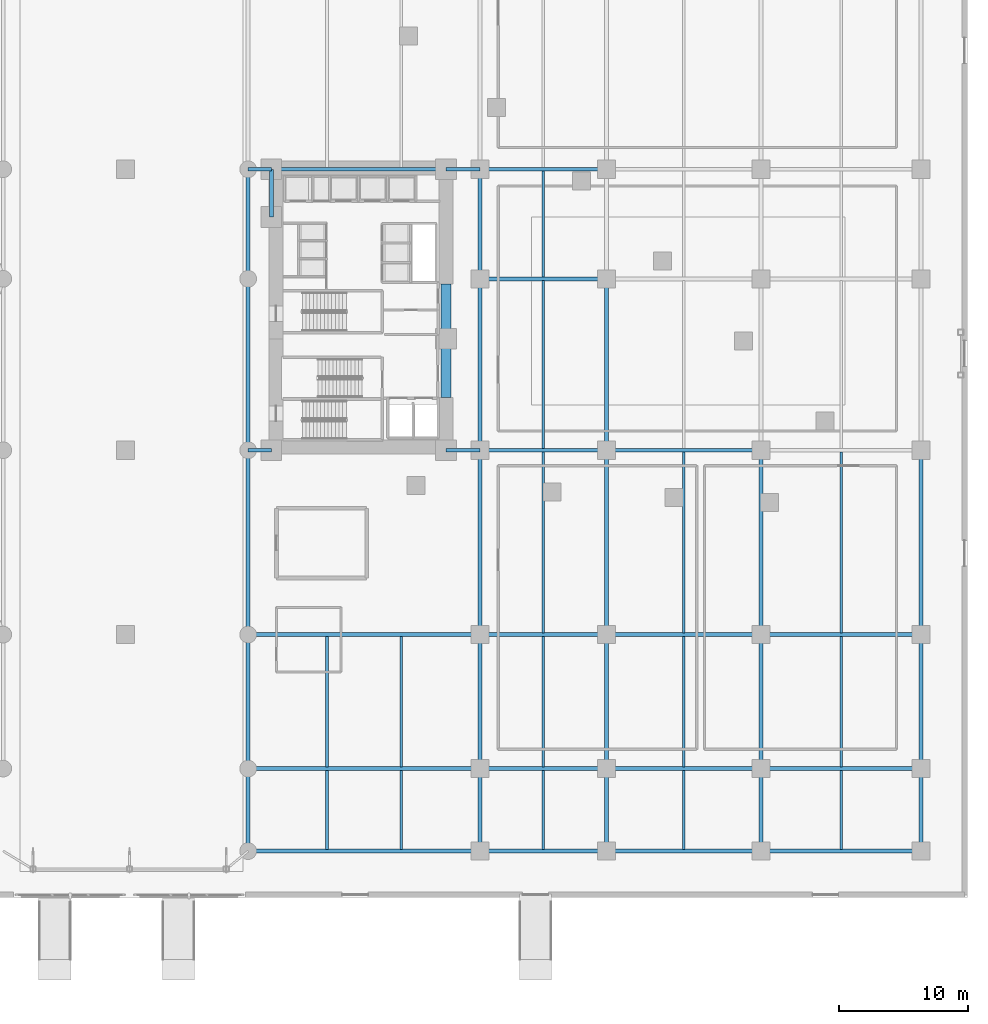
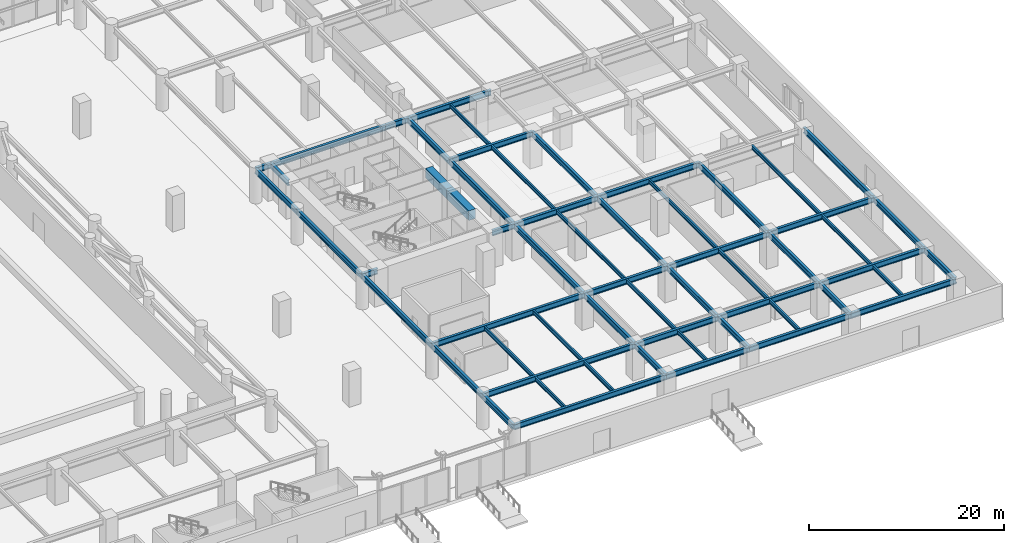
# One storey, part 15 of 42: 59 beams.
"""IFC4 building model written with IfcOpenShell, lengths in metres."""

from ifc_helpers import new_model, si_unit, direction, frame, origin, origin_2d, place, context, subcontext, project, spatial, rectangle, i_section, extrude, material, material_profile, profile_set, type_object, element, save


model = new_model("IFC4")

# Units and contexts
model_context = context("Model", 3, precision=1e-05, world=origin(), true_north=direction((0.0, 1.0)))
body_context = subcontext(model_context, "Body", "Model", "MODEL_VIEW")
ifc_project = project(units=[si_unit("LENGTHUNIT", "METRE"), si_unit("AREAUNIT", "SQUARE_METRE"), si_unit("VOLUMEUNIT", "CUBIC_METRE"), si_unit("PLANEANGLEUNIT", "RADIAN"), si_unit("MASSUNIT", "GRAM", prefix="KILO")], contexts=[model_context])

# Site, building, storey
site_placement = place(None, origin())
site = spatial("IfcSite", under=ifc_project, at=site_placement, CompositionType="ELEMENT")
building_placement = place(site_placement, origin())
building = spatial("IfcBuilding", under=site, at=building_placement, Name="Narakoshi Arena Tower", CompositionType="ELEMENT")
storey_placement = place(building_placement, origin())
storey = spatial("IfcBuildingStorey", under=building, at=storey_placement, Name="L00", CompositionType="ELEMENT", Elevation=0.0)

# Beams
ifc_material_1 = material(Name="Concrete C60/75", Category="concrete")
ifc_material_profile_1 = material_profile(ifc_material_1, rectangle(XDim=0.800048828125, YDim=1.199951171875, at=origin_2d()), Name="RCB800x1200")
ifc_profile_set_1 = profile_set([ifc_material_profile_1], Name="Concrete C60/75")
beam_type_1 = type_object("IfcBeamType", Name="BM-CPL-1200", PredefinedType="LINTEL", material=ifc_profile_set_1)
beam_1_placement = place(storey_placement, frame((85.550048828125, 38.800048828125, 3.580078125), z_axis=(0.0, 1.0, 0.0), x_axis=(-1.0, 0.0, 0.0)))
element("IfcBeam", 1, at=beam_1_placement, inside=storey, type_object=beam_type_1, Name="L00 Core Seismic Coupling Beam 1", PredefinedType="LINTEL", context=body_context, shape_type="SweptSolid", body=[
    extrude(rectangle(XDim=0.800048828125, YDim=1.199951171875, at=origin_2d()), origin(), (0.0, 0.0, 1.0), 4.550048828125),
])
beam_2_placement = place(storey_placement, frame((85.550048828125, 43.35009765625, 3.580078125), z_axis=(0.0, 1.0, 0.0), x_axis=(-1.0, 0.0, 0.0)))
element("IfcBeam", 2, at=beam_2_placement, inside=storey, type_object=beam_type_1, Name="L00 Core Seismic Coupling Beam 2", PredefinedType="LINTEL", context=body_context, shape_type="SweptSolid", body=[
    extrude(rectangle(XDim=0.800048828125, YDim=1.199951171875, at=origin_2d()), origin(), (0.0, 0.0, 1.0), 4.25),
])
ifc_material_2 = material(Name="Structural steel S355J2", Category="steel")
ifc_material_profile_2 = material_profile(ifc_material_2, i_section(OverallWidth=0.300048828125, OverallDepth=0.699951171875, WebThickness=0.01708984375, FlangeThickness=0.031982421875, FilletRadius=0.027099609375, at=origin_2d()), Name="HE700B")
ifc_profile_set_2 = profile_set([ifc_material_profile_2], Name="Structural steel S355J2")
beam_type_2 = type_object("IfcBeamType", Name="BM-PRI-700", PredefinedType="BEAM", material=ifc_profile_set_2)
beam_3_placement = place(storey_placement, frame((70.199951171875, 3.60009765625, 3.830078125), z_axis=(1.0, 0.0, 0.0), x_axis=(0.0, 1.0, 0.0)))
element("IfcBeam", 3, at=beam_3_placement, inside=storey, type_object=beam_type_2, Name="L00 Podium Primary X-Girder 001", PredefinedType="BEAM", context=body_context, shape_type="SweptSolid", body=[
    extrude(i_section(OverallWidth=0.300048828125, OverallDepth=0.699951171875, WebThickness=0.01708984375, FlangeThickness=0.031982421875, FilletRadius=0.027099609375, at=origin_2d()), origin(), (0.0, 0.0, 1.0), 18.0),
])
beam_4_placement = place(storey_placement, frame((88.199951171875, 3.60009765625, 3.830078125), z_axis=(1.0, 0.0, 0.0), x_axis=(0.0, 1.0, 0.0)))
element("IfcBeam", 4, at=beam_4_placement, inside=storey, type_object=beam_type_2, Name="L00 Podium Primary X-Girder 002", PredefinedType="BEAM", context=body_context, shape_type="SweptSolid", body=[
    extrude(i_section(OverallWidth=0.300048828125, OverallDepth=0.699951171875, WebThickness=0.01708984375, FlangeThickness=0.031982421875, FilletRadius=0.027099609375, at=origin_2d()), origin(), (0.0, 0.0, 1.0), 9.800048828125),
])
beam_5_placement = place(storey_placement, frame((98.0, 3.60009765625, 3.830078125), z_axis=(1.0, 0.0, 0.0), x_axis=(0.0, 1.0, 0.0)))
element("IfcBeam", 5, at=beam_5_placement, inside=storey, type_object=beam_type_2, Name="L00 Podium Primary X-Girder 003", PredefinedType="BEAM", context=body_context, shape_type="SweptSolid", body=[
    extrude(i_section(OverallWidth=0.300048828125, OverallDepth=0.699951171875, WebThickness=0.01708984375, FlangeThickness=0.031982421875, FilletRadius=0.027099609375, at=origin_2d()), origin(), (0.0, 0.0, 1.0), 12.0),
])
beam_6_placement = place(storey_placement, frame((110.0, 3.60009765625, 3.830078125), z_axis=(1.0, 0.0, 0.0), x_axis=(0.0, 1.0, 0.0)))
element("IfcBeam", 6, at=beam_6_placement, inside=storey, type_object=beam_type_2, Name="L00 Podium Primary X-Girder 004", PredefinedType="BEAM", context=body_context, shape_type="SweptSolid", body=[
    extrude(i_section(OverallWidth=0.300048828125, OverallDepth=0.699951171875, WebThickness=0.01708984375, FlangeThickness=0.031982421875, FilletRadius=0.027099609375, at=origin_2d()), origin(), (0.0, 0.0, 1.0), 12.39990234375),
])
beam_7_placement = place(storey_placement, frame((70.199951171875, 10.0, 3.830078125), z_axis=(1.0, 0.0, 0.0), x_axis=(0.0, 1.0, 0.0)))
element("IfcBeam", 7, at=beam_7_placement, inside=storey, type_object=beam_type_2, Name="L00 Podium Primary X-Girder 009", PredefinedType="BEAM", context=body_context, shape_type="SweptSolid", body=[
    extrude(i_section(OverallWidth=0.300048828125, OverallDepth=0.699951171875, WebThickness=0.01708984375, FlangeThickness=0.031982421875, FilletRadius=0.027099609375, at=origin_2d()), origin(), (0.0, 0.0, 1.0), 18.0),
])
beam_8_placement = place(storey_placement, frame((88.199951171875, 10.0, 3.830078125), z_axis=(1.0, 0.0, 0.0), x_axis=(0.0, 1.0, 0.0)))
element("IfcBeam", 8, at=beam_8_placement, inside=storey, type_object=beam_type_2, Name="L00 Podium Primary X-Girder 010", PredefinedType="BEAM", context=body_context, shape_type="SweptSolid", body=[
    extrude(i_section(OverallWidth=0.300048828125, OverallDepth=0.699951171875, WebThickness=0.01708984375, FlangeThickness=0.031982421875, FilletRadius=0.027099609375, at=origin_2d()), origin(), (0.0, 0.0, 1.0), 9.800048828125),
])
beam_9_placement = place(storey_placement, frame((98.0, 10.0, 3.830078125), z_axis=(1.0, 0.0, 0.0), x_axis=(0.0, 1.0, 0.0)))
element("IfcBeam", 9, at=beam_9_placement, inside=storey, type_object=beam_type_2, Name="L00 Podium Primary X-Girder 011", PredefinedType="BEAM", context=body_context, shape_type="SweptSolid", body=[
    extrude(i_section(OverallWidth=0.300048828125, OverallDepth=0.699951171875, WebThickness=0.01708984375, FlangeThickness=0.031982421875, FilletRadius=0.027099609375, at=origin_2d()), origin(), (0.0, 0.0, 1.0), 12.0),
])
beam_10_placement = place(storey_placement, frame((110.0, 10.0, 3.830078125), z_axis=(1.0, 0.0, 0.0), x_axis=(0.0, 1.0, 0.0)))
element("IfcBeam", 10, at=beam_10_placement, inside=storey, type_object=beam_type_2, Name="L00 Podium Primary X-Girder 012", PredefinedType="BEAM", context=body_context, shape_type="SweptSolid", body=[
    extrude(i_section(OverallWidth=0.300048828125, OverallDepth=0.699951171875, WebThickness=0.01708984375, FlangeThickness=0.031982421875, FilletRadius=0.027099609375, at=origin_2d()), origin(), (0.0, 0.0, 1.0), 12.39990234375),
])
beam_11_placement = place(storey_placement, frame((70.199951171875, 20.39990234375, 3.830078125), z_axis=(1.0, 0.0, 0.0), x_axis=(0.0, 1.0, 0.0)))
element("IfcBeam", 11, at=beam_11_placement, inside=storey, type_object=beam_type_2, Name="L00 Podium Primary X-Girder 017", PredefinedType="BEAM", context=body_context, shape_type="SweptSolid", body=[
    extrude(i_section(OverallWidth=0.300048828125, OverallDepth=0.699951171875, WebThickness=0.01708984375, FlangeThickness=0.031982421875, FilletRadius=0.027099609375, at=origin_2d()), origin(), (0.0, 0.0, 1.0), 18.0),
])
beam_12_placement = place(storey_placement, frame((88.199951171875, 20.39990234375, 3.830078125), z_axis=(1.0, 0.0, 0.0), x_axis=(0.0, 1.0, 0.0)))
element("IfcBeam", 12, at=beam_12_placement, inside=storey, type_object=beam_type_2, Name="L00 Podium Primary X-Girder 018", PredefinedType="BEAM", context=body_context, shape_type="SweptSolid", body=[
    extrude(i_section(OverallWidth=0.300048828125, OverallDepth=0.699951171875, WebThickness=0.01708984375, FlangeThickness=0.031982421875, FilletRadius=0.027099609375, at=origin_2d()), origin(), (0.0, 0.0, 1.0), 9.800048828125),
])
beam_13_placement = place(storey_placement, frame((98.0, 20.39990234375, 3.830078125), z_axis=(1.0, 0.0, 0.0), x_axis=(0.0, 1.0, 0.0)))
element("IfcBeam", 13, at=beam_13_placement, inside=storey, type_object=beam_type_2, Name="L00 Podium Primary X-Girder 019", PredefinedType="BEAM", context=body_context, shape_type="SweptSolid", body=[
    extrude(i_section(OverallWidth=0.300048828125, OverallDepth=0.699951171875, WebThickness=0.01708984375, FlangeThickness=0.031982421875, FilletRadius=0.027099609375, at=origin_2d()), origin(), (0.0, 0.0, 1.0), 12.0),
])
beam_14_placement = place(storey_placement, frame((110.0, 20.39990234375, 3.830078125), z_axis=(1.0, 0.0, 0.0), x_axis=(0.0, 1.0, 0.0)))
element("IfcBeam", 14, at=beam_14_placement, inside=storey, type_object=beam_type_2, Name="L00 Podium Primary X-Girder 020", PredefinedType="BEAM", context=body_context, shape_type="SweptSolid", body=[
    extrude(i_section(OverallWidth=0.300048828125, OverallDepth=0.699951171875, WebThickness=0.01708984375, FlangeThickness=0.031982421875, FilletRadius=0.027099609375, at=origin_2d()), origin(), (0.0, 0.0, 1.0), 12.39990234375),
])
beam_15_placement = place(storey_placement, frame((70.199951171875, 34.699951171875, 3.830078125), z_axis=(1.0, 0.0, 0.0), x_axis=(0.0, 1.0, 0.0)))
element("IfcBeam", 15, at=beam_15_placement, inside=storey, type_object=beam_type_2, Name="L00 Podium Primary X-Girder 021", PredefinedType="BEAM", context=body_context, shape_type="SweptSolid", body=[
    extrude(i_section(OverallWidth=0.300048828125, OverallDepth=0.699951171875, WebThickness=0.01708984375, FlangeThickness=0.031982421875, FilletRadius=0.027099609375, at=origin_2d()), origin(), (0.0, 0.0, 1.0), 1.800048828125),
])
beam_16_placement = place(storey_placement, frame((85.550048828125, 34.699951171875, 3.830078125), z_axis=(1.0, 0.0, 0.0), x_axis=(0.0, 1.0, 0.0)))
element("IfcBeam", 16, at=beam_16_placement, inside=storey, type_object=beam_type_2, Name="L00 Podium Primary X-Girder 022", PredefinedType="BEAM", context=body_context, shape_type="SweptSolid", body=[
    extrude(i_section(OverallWidth=0.300048828125, OverallDepth=0.699951171875, WebThickness=0.01708984375, FlangeThickness=0.031982421875, FilletRadius=0.027099609375, at=origin_2d()), origin(), (0.0, 0.0, 1.0), 2.64990234375),
])
beam_17_placement = place(storey_placement, frame((88.199951171875, 34.699951171875, 3.830078125), z_axis=(1.0, 0.0, 0.0), x_axis=(0.0, 1.0, 0.0)))
element("IfcBeam", 17, at=beam_17_placement, inside=storey, type_object=beam_type_2, Name="L00 Podium Primary X-Girder 023", PredefinedType="BEAM", context=body_context, shape_type="SweptSolid", body=[
    extrude(i_section(OverallWidth=0.300048828125, OverallDepth=0.699951171875, WebThickness=0.01708984375, FlangeThickness=0.031982421875, FilletRadius=0.027099609375, at=origin_2d()), origin(), (0.0, 0.0, 1.0), 9.800048828125),
])
beam_18_placement = place(storey_placement, frame((98.0, 34.699951171875, 3.830078125), z_axis=(1.0, 0.0, 0.0), x_axis=(0.0, 1.0, 0.0)))
element("IfcBeam", 18, at=beam_18_placement, inside=storey, type_object=beam_type_2, Name="L00 Podium Primary X-Girder 024", PredefinedType="BEAM", context=body_context, shape_type="SweptSolid", body=[
    extrude(i_section(OverallWidth=0.300048828125, OverallDepth=0.699951171875, WebThickness=0.01708984375, FlangeThickness=0.031982421875, FilletRadius=0.027099609375, at=origin_2d()), origin(), (0.0, 0.0, 1.0), 12.0),
])
beam_19_placement = place(storey_placement, frame((88.199951171875, 48.0, 3.830078125), z_axis=(1.0, 0.0, 0.0), x_axis=(0.0, 1.0, 0.0)))
element("IfcBeam", 19, at=beam_19_placement, inside=storey, type_object=beam_type_2, Name="L00 Podium Primary X-Girder 026", PredefinedType="BEAM", context=body_context, shape_type="SweptSolid", body=[
    extrude(i_section(OverallWidth=0.300048828125, OverallDepth=0.699951171875, WebThickness=0.01708984375, FlangeThickness=0.031982421875, FilletRadius=0.027099609375, at=origin_2d()), origin(), (0.0, 0.0, 1.0), 9.800048828125),
])
beam_20_placement = place(storey_placement, frame((70.199951171875, 56.5, 3.830078125), z_axis=(1.0, 0.0, 0.0), x_axis=(0.0, 1.0, 0.0)))
element("IfcBeam", 20, at=beam_20_placement, inside=storey, type_object=beam_type_2, Name="L00 Podium Primary X-Girder 029", PredefinedType="BEAM", context=body_context, shape_type="SweptSolid", body=[
    extrude(i_section(OverallWidth=0.300048828125, OverallDepth=0.699951171875, WebThickness=0.01708984375, FlangeThickness=0.031982421875, FilletRadius=0.027099609375, at=origin_2d()), origin(), (0.0, 0.0, 1.0), 1.800048828125),
])
beam_21_placement = place(storey_placement, frame((72.0, 56.5, 3.830078125), z_axis=(1.0, 0.0, 0.0), x_axis=(0.0, 1.0, 0.0)))
element("IfcBeam", 21, at=beam_21_placement, inside=storey, type_object=beam_type_2, Name="L00 Podium Primary X-Girder 030", PredefinedType="BEAM", context=body_context, shape_type="SweptSolid", body=[
    extrude(i_section(OverallWidth=0.300048828125, OverallDepth=0.699951171875, WebThickness=0.01708984375, FlangeThickness=0.031982421875, FilletRadius=0.027099609375, at=origin_2d()), origin(), (0.0, 0.0, 1.0), 13.550048828125),
])
beam_22_placement = place(storey_placement, frame((85.550048828125, 56.5, 3.830078125), z_axis=(1.0, 0.0, 0.0), x_axis=(0.0, 1.0, 0.0)))
element("IfcBeam", 22, at=beam_22_placement, inside=storey, type_object=beam_type_2, Name="L00 Podium Primary X-Girder 031", PredefinedType="BEAM", context=body_context, shape_type="SweptSolid", body=[
    extrude(i_section(OverallWidth=0.300048828125, OverallDepth=0.699951171875, WebThickness=0.01708984375, FlangeThickness=0.031982421875, FilletRadius=0.027099609375, at=origin_2d()), origin(), (0.0, 0.0, 1.0), 2.64990234375),
])
beam_23_placement = place(storey_placement, frame((88.199951171875, 56.5, 3.830078125), z_axis=(1.0, 0.0, 0.0), x_axis=(0.0, 1.0, 0.0)))
element("IfcBeam", 23, at=beam_23_placement, inside=storey, type_object=beam_type_2, Name="L00 Podium Primary X-Girder 032", PredefinedType="BEAM", context=body_context, shape_type="SweptSolid", body=[
    extrude(i_section(OverallWidth=0.300048828125, OverallDepth=0.699951171875, WebThickness=0.01708984375, FlangeThickness=0.031982421875, FilletRadius=0.027099609375, at=origin_2d()), origin(), (0.0, 0.0, 1.0), 9.800048828125),
])
beam_24_placement = place(storey_placement, frame((70.199951171875, 3.60009765625, 3.830078125), z_axis=(0.0, 1.0, 0.0), x_axis=(-1.0, 0.0, 0.0)))
element("IfcBeam", 24, at=beam_24_placement, inside=storey, type_object=beam_type_2, Name="L00 Podium Primary Y-Girder 075", PredefinedType="BEAM", context=body_context, shape_type="SweptSolid", body=[
    extrude(i_section(OverallWidth=0.300048828125, OverallDepth=0.699951171875, WebThickness=0.01708984375, FlangeThickness=0.031982421875, FilletRadius=0.027099609375, at=origin_2d()), origin(), (0.0, 0.0, 1.0), 6.39990234375),
])
beam_25_placement = place(storey_placement, frame((70.199951171875, 10.0, 3.830078125), z_axis=(0.0, 1.0, 0.0), x_axis=(-1.0, 0.0, 0.0)))
element("IfcBeam", 25, at=beam_25_placement, inside=storey, type_object=beam_type_2, Name="L00 Podium Primary Y-Girder 076", PredefinedType="BEAM", context=body_context, shape_type="SweptSolid", body=[
    extrude(i_section(OverallWidth=0.300048828125, OverallDepth=0.699951171875, WebThickness=0.01708984375, FlangeThickness=0.031982421875, FilletRadius=0.027099609375, at=origin_2d()), origin(), (0.0, 0.0, 1.0), 10.39990234375),
])
beam_26_placement = place(storey_placement, frame((70.199951171875, 20.39990234375, 3.830078125), z_axis=(0.0, 1.0, 0.0), x_axis=(-1.0, 0.0, 0.0)))
element("IfcBeam", 26, at=beam_26_placement, inside=storey, type_object=beam_type_2, Name="L00 Podium Primary Y-Girder 077", PredefinedType="BEAM", context=body_context, shape_type="SweptSolid", body=[
    extrude(i_section(OverallWidth=0.300048828125, OverallDepth=0.699951171875, WebThickness=0.01708984375, FlangeThickness=0.031982421875, FilletRadius=0.027099609375, at=origin_2d()), origin(), (0.0, 0.0, 1.0), 14.300048828125),
])
beam_27_placement = place(storey_placement, frame((70.199951171875, 34.699951171875, 3.830078125), z_axis=(0.0, 1.0, 0.0), x_axis=(-1.0, 0.0, 0.0)))
element("IfcBeam", 27, at=beam_27_placement, inside=storey, type_object=beam_type_2, Name="L00 Podium Primary Y-Girder 078", PredefinedType="BEAM", context=body_context, shape_type="SweptSolid", body=[
    extrude(i_section(OverallWidth=0.300048828125, OverallDepth=0.699951171875, WebThickness=0.01708984375, FlangeThickness=0.031982421875, FilletRadius=0.027099609375, at=origin_2d()), origin(), (0.0, 0.0, 1.0), 13.300048828125),
])
beam_28_placement = place(storey_placement, frame((70.199951171875, 48.0, 3.830078125), z_axis=(0.0, 1.0, 0.0), x_axis=(-1.0, 0.0, 0.0)))
element("IfcBeam", 28, at=beam_28_placement, inside=storey, type_object=beam_type_2, Name="L00 Podium Primary Y-Girder 079", PredefinedType="BEAM", context=body_context, shape_type="SweptSolid", body=[
    extrude(i_section(OverallWidth=0.300048828125, OverallDepth=0.699951171875, WebThickness=0.01708984375, FlangeThickness=0.031982421875, FilletRadius=0.027099609375, at=origin_2d()), origin(), (0.0, 0.0, 1.0), 8.5),
])
beam_29_placement = place(storey_placement, frame((72.0, 52.800048828125, 3.830078125), z_axis=(0.0, 1.0, 0.0), x_axis=(-1.0, 0.0, 0.0)))
element("IfcBeam", 29, at=beam_29_placement, inside=storey, type_object=beam_type_2, Name="L00 Podium Primary Y-Girder 083", PredefinedType="BEAM", context=body_context, shape_type="SweptSolid", body=[
    extrude(i_section(OverallWidth=0.300048828125, OverallDepth=0.699951171875, WebThickness=0.01708984375, FlangeThickness=0.031982421875, FilletRadius=0.027099609375, at=origin_2d()), origin(), (0.0, 0.0, 1.0), 3.699951171875),
])
beam_30_placement = place(storey_placement, frame((88.199951171875, 3.60009765625, 3.830078125), z_axis=(0.0, 1.0, 0.0), x_axis=(-1.0, 0.0, 0.0)))
element("IfcBeam", 30, at=beam_30_placement, inside=storey, type_object=beam_type_2, Name="L00 Podium Primary Y-Girder 084", PredefinedType="BEAM", context=body_context, shape_type="SweptSolid", body=[
    extrude(i_section(OverallWidth=0.300048828125, OverallDepth=0.699951171875, WebThickness=0.01708984375, FlangeThickness=0.031982421875, FilletRadius=0.027099609375, at=origin_2d()), origin(), (0.0, 0.0, 1.0), 6.39990234375),
])
beam_31_placement = place(storey_placement, frame((88.199951171875, 10.0, 3.830078125), z_axis=(0.0, 1.0, 0.0), x_axis=(-1.0, 0.0, 0.0)))
element("IfcBeam", 31, at=beam_31_placement, inside=storey, type_object=beam_type_2, Name="L00 Podium Primary Y-Girder 085", PredefinedType="BEAM", context=body_context, shape_type="SweptSolid", body=[
    extrude(i_section(OverallWidth=0.300048828125, OverallDepth=0.699951171875, WebThickness=0.01708984375, FlangeThickness=0.031982421875, FilletRadius=0.027099609375, at=origin_2d()), origin(), (0.0, 0.0, 1.0), 10.39990234375),
])
beam_32_placement = place(storey_placement, frame((88.199951171875, 20.39990234375, 3.830078125), z_axis=(0.0, 1.0, 0.0), x_axis=(-1.0, 0.0, 0.0)))
element("IfcBeam", 32, at=beam_32_placement, inside=storey, type_object=beam_type_2, Name="L00 Podium Primary Y-Girder 086", PredefinedType="BEAM", context=body_context, shape_type="SweptSolid", body=[
    extrude(i_section(OverallWidth=0.300048828125, OverallDepth=0.699951171875, WebThickness=0.01708984375, FlangeThickness=0.031982421875, FilletRadius=0.027099609375, at=origin_2d()), origin(), (0.0, 0.0, 1.0), 14.300048828125),
])
beam_33_placement = place(storey_placement, frame((88.199951171875, 34.699951171875, 3.830078125), z_axis=(0.0, 1.0, 0.0), x_axis=(-1.0, 0.0, 0.0)))
element("IfcBeam", 33, at=beam_33_placement, inside=storey, type_object=beam_type_2, Name="L00 Podium Primary Y-Girder 087", PredefinedType="BEAM", context=body_context, shape_type="SweptSolid", body=[
    extrude(i_section(OverallWidth=0.300048828125, OverallDepth=0.699951171875, WebThickness=0.01708984375, FlangeThickness=0.031982421875, FilletRadius=0.027099609375, at=origin_2d()), origin(), (0.0, 0.0, 1.0), 13.300048828125),
])
beam_34_placement = place(storey_placement, frame((88.199951171875, 48.0, 3.830078125), z_axis=(0.0, 1.0, 0.0), x_axis=(-1.0, 0.0, 0.0)))
element("IfcBeam", 34, at=beam_34_placement, inside=storey, type_object=beam_type_2, Name="L00 Podium Primary Y-Girder 088", PredefinedType="BEAM", context=body_context, shape_type="SweptSolid", body=[
    extrude(i_section(OverallWidth=0.300048828125, OverallDepth=0.699951171875, WebThickness=0.01708984375, FlangeThickness=0.031982421875, FilletRadius=0.027099609375, at=origin_2d()), origin(), (0.0, 0.0, 1.0), 8.5),
])
beam_35_placement = place(storey_placement, frame((98.0, 3.60009765625, 3.830078125), z_axis=(0.0, 1.0, 0.0), x_axis=(-1.0, 0.0, 0.0)))
element("IfcBeam", 35, at=beam_35_placement, inside=storey, type_object=beam_type_2, Name="L00 Podium Primary Y-Girder 092", PredefinedType="BEAM", context=body_context, shape_type="SweptSolid", body=[
    extrude(i_section(OverallWidth=0.300048828125, OverallDepth=0.699951171875, WebThickness=0.01708984375, FlangeThickness=0.031982421875, FilletRadius=0.027099609375, at=origin_2d()), origin(), (0.0, 0.0, 1.0), 6.39990234375),
])
beam_36_placement = place(storey_placement, frame((98.0, 10.0, 3.830078125), z_axis=(0.0, 1.0, 0.0), x_axis=(-1.0, 0.0, 0.0)))
element("IfcBeam", 36, at=beam_36_placement, inside=storey, type_object=beam_type_2, Name="L00 Podium Primary Y-Girder 093", PredefinedType="BEAM", context=body_context, shape_type="SweptSolid", body=[
    extrude(i_section(OverallWidth=0.300048828125, OverallDepth=0.699951171875, WebThickness=0.01708984375, FlangeThickness=0.031982421875, FilletRadius=0.027099609375, at=origin_2d()), origin(), (0.0, 0.0, 1.0), 10.39990234375),
])
beam_37_placement = place(storey_placement, frame((98.0, 20.39990234375, 3.830078125), z_axis=(0.0, 1.0, 0.0), x_axis=(-1.0, 0.0, 0.0)))
element("IfcBeam", 37, at=beam_37_placement, inside=storey, type_object=beam_type_2, Name="L00 Podium Primary Y-Girder 094", PredefinedType="BEAM", context=body_context, shape_type="SweptSolid", body=[
    extrude(i_section(OverallWidth=0.300048828125, OverallDepth=0.699951171875, WebThickness=0.01708984375, FlangeThickness=0.031982421875, FilletRadius=0.027099609375, at=origin_2d()), origin(), (0.0, 0.0, 1.0), 14.300048828125),
])
beam_38_placement = place(storey_placement, frame((98.0, 34.699951171875, 3.830078125), z_axis=(0.0, 1.0, 0.0), x_axis=(-1.0, 0.0, 0.0)))
element("IfcBeam", 38, at=beam_38_placement, inside=storey, type_object=beam_type_2, Name="L00 Podium Primary Y-Girder 095", PredefinedType="BEAM", context=body_context, shape_type="SweptSolid", body=[
    extrude(i_section(OverallWidth=0.300048828125, OverallDepth=0.699951171875, WebThickness=0.01708984375, FlangeThickness=0.031982421875, FilletRadius=0.027099609375, at=origin_2d()), origin(), (0.0, 0.0, 1.0), 13.300048828125),
])
beam_39_placement = place(storey_placement, frame((110.0, 3.60009765625, 3.830078125), z_axis=(0.0, 1.0, 0.0), x_axis=(-1.0, 0.0, 0.0)))
element("IfcBeam", 39, at=beam_39_placement, inside=storey, type_object=beam_type_2, Name="L00 Podium Primary Y-Girder 100", PredefinedType="BEAM", context=body_context, shape_type="SweptSolid", body=[
    extrude(i_section(OverallWidth=0.300048828125, OverallDepth=0.699951171875, WebThickness=0.01708984375, FlangeThickness=0.031982421875, FilletRadius=0.027099609375, at=origin_2d()), origin(), (0.0, 0.0, 1.0), 6.39990234375),
])
beam_40_placement = place(storey_placement, frame((110.0, 10.0, 3.830078125), z_axis=(0.0, 1.0, 0.0), x_axis=(-1.0, 0.0, 0.0)))
element("IfcBeam", 40, at=beam_40_placement, inside=storey, type_object=beam_type_2, Name="L00 Podium Primary Y-Girder 101", PredefinedType="BEAM", context=body_context, shape_type="SweptSolid", body=[
    extrude(i_section(OverallWidth=0.300048828125, OverallDepth=0.699951171875, WebThickness=0.01708984375, FlangeThickness=0.031982421875, FilletRadius=0.027099609375, at=origin_2d()), origin(), (0.0, 0.0, 1.0), 10.39990234375),
])
beam_41_placement = place(storey_placement, frame((110.0, 20.39990234375, 3.830078125), z_axis=(0.0, 1.0, 0.0), x_axis=(-1.0, 0.0, 0.0)))
element("IfcBeam", 41, at=beam_41_placement, inside=storey, type_object=beam_type_2, Name="L00 Podium Primary Y-Girder 102", PredefinedType="BEAM", context=body_context, shape_type="SweptSolid", body=[
    extrude(i_section(OverallWidth=0.300048828125, OverallDepth=0.699951171875, WebThickness=0.01708984375, FlangeThickness=0.031982421875, FilletRadius=0.027099609375, at=origin_2d()), origin(), (0.0, 0.0, 1.0), 14.300048828125),
])
beam_42_placement = place(storey_placement, frame((122.39990234375, 3.60009765625, 3.830078125), z_axis=(0.0, 1.0, 0.0), x_axis=(-1.0, 0.0, 0.0)))
element("IfcBeam", 42, at=beam_42_placement, inside=storey, type_object=beam_type_2, Name="L00 Podium Primary Y-Girder 108", PredefinedType="BEAM", context=body_context, shape_type="SweptSolid", body=[
    extrude(i_section(OverallWidth=0.300048828125, OverallDepth=0.699951171875, WebThickness=0.01708984375, FlangeThickness=0.031982421875, FilletRadius=0.027099609375, at=origin_2d()), origin(), (0.0, 0.0, 1.0), 6.39990234375),
])
beam_43_placement = place(storey_placement, frame((122.39990234375, 10.0, 3.830078125), z_axis=(0.0, 1.0, 0.0), x_axis=(-1.0, 0.0, 0.0)))
element("IfcBeam", 43, at=beam_43_placement, inside=storey, type_object=beam_type_2, Name="L00 Podium Primary Y-Girder 109", PredefinedType="BEAM", context=body_context, shape_type="SweptSolid", body=[
    extrude(i_section(OverallWidth=0.300048828125, OverallDepth=0.699951171875, WebThickness=0.01708984375, FlangeThickness=0.031982421875, FilletRadius=0.027099609375, at=origin_2d()), origin(), (0.0, 0.0, 1.0), 10.39990234375),
])
beam_44_placement = place(storey_placement, frame((122.39990234375, 20.39990234375, 3.830078125), z_axis=(0.0, 1.0, 0.0), x_axis=(-1.0, 0.0, 0.0)))
element("IfcBeam", 44, at=beam_44_placement, inside=storey, type_object=beam_type_2, Name="L00 Podium Primary Y-Girder 110", PredefinedType="BEAM", context=body_context, shape_type="SweptSolid", body=[
    extrude(i_section(OverallWidth=0.300048828125, OverallDepth=0.699951171875, WebThickness=0.01708984375, FlangeThickness=0.031982421875, FilletRadius=0.027099609375, at=origin_2d()), origin(), (0.0, 0.0, 1.0), 14.300048828125),
])
ifc_material_profile_3 = material_profile(ifc_material_2, i_section(OverallWidth=0.199951171875, OverallDepth=0.5, WebThickness=0.01025390625, FlangeThickness=0.01611328125, FilletRadius=0.02099609375, at=origin_2d()), Name="IPE500")
ifc_profile_set_3 = profile_set([ifc_material_profile_3], Name="Structural steel S355J2")
beam_type_3 = type_object("IfcBeamType", Name="BM-SEC-500", PredefinedType="JOIST", material=ifc_profile_set_3)
beam_45_placement = place(storey_placement, frame((76.320068359375, 3.735107421875, 3.929931640625), z_axis=(0.0, 1.0, 0.0), x_axis=(-1.0, 0.0, 0.0)))
element("IfcBeam", 45, at=beam_45_placement, inside=storey, type_object=beam_type_3, Name="L00 Podium Composite Floor Joist 009", PredefinedType="JOIST", context=body_context, shape_type="SweptSolid", body=[
    extrude(i_section(OverallWidth=0.199951171875, OverallDepth=0.5, WebThickness=0.01025390625, FlangeThickness=0.01611328125, FilletRadius=0.02099609375, at=origin_2d()), origin(), (0.0, 0.0, 1.0), 6.1298828125),
])
beam_46_placement = place(storey_placement, frame((76.320068359375, 10.135009765625, 3.929931640625), z_axis=(0.0, 1.0, 0.0), x_axis=(-1.0, 0.0, 0.0)))
element("IfcBeam", 46, at=beam_46_placement, inside=storey, type_object=beam_type_3, Name="L00 Podium Composite Floor Joist 010", PredefinedType="JOIST", context=body_context, shape_type="SweptSolid", body=[
    extrude(i_section(OverallWidth=0.199951171875, OverallDepth=0.5, WebThickness=0.01025390625, FlangeThickness=0.01611328125, FilletRadius=0.02099609375, at=origin_2d()), origin(), (0.0, 0.0, 1.0), 10.1298828125),
])
beam_47_placement = place(storey_placement, frame((82.080078125, 3.735107421875, 3.929931640625), z_axis=(0.0, 1.0, 0.0), x_axis=(-1.0, 0.0, 0.0)))
element("IfcBeam", 47, at=beam_47_placement, inside=storey, type_object=beam_type_3, Name="L00 Podium Composite Floor Joist 014", PredefinedType="JOIST", context=body_context, shape_type="SweptSolid", body=[
    extrude(i_section(OverallWidth=0.199951171875, OverallDepth=0.5, WebThickness=0.01025390625, FlangeThickness=0.01611328125, FilletRadius=0.02099609375, at=origin_2d()), origin(), (0.0, 0.0, 1.0), 6.1298828125),
])
beam_48_placement = place(storey_placement, frame((82.080078125, 10.135009765625, 3.929931640625), z_axis=(0.0, 1.0, 0.0), x_axis=(-1.0, 0.0, 0.0)))
element("IfcBeam", 48, at=beam_48_placement, inside=storey, type_object=beam_type_3, Name="L00 Podium Composite Floor Joist 015", PredefinedType="JOIST", context=body_context, shape_type="SweptSolid", body=[
    extrude(i_section(OverallWidth=0.199951171875, OverallDepth=0.5, WebThickness=0.01025390625, FlangeThickness=0.01611328125, FilletRadius=0.02099609375, at=origin_2d()), origin(), (0.0, 0.0, 1.0), 10.1298828125),
])
beam_49_placement = place(storey_placement, frame((93.10009765625, 3.735107421875, 3.929931640625), z_axis=(0.0, 1.0, 0.0), x_axis=(-1.0, 0.0, 0.0)))
element("IfcBeam", 49, at=beam_49_placement, inside=storey, type_object=beam_type_3, Name="L00 Podium Composite Floor Joist 019", PredefinedType="JOIST", context=body_context, shape_type="SweptSolid", body=[
    extrude(i_section(OverallWidth=0.199951171875, OverallDepth=0.5, WebThickness=0.01025390625, FlangeThickness=0.01611328125, FilletRadius=0.02099609375, at=origin_2d()), origin(), (0.0, 0.0, 1.0), 6.1298828125),
])
beam_50_placement = place(storey_placement, frame((93.10009765625, 10.135009765625, 3.929931640625), z_axis=(0.0, 1.0, 0.0), x_axis=(-1.0, 0.0, 0.0)))
element("IfcBeam", 50, at=beam_50_placement, inside=storey, type_object=beam_type_3, Name="L00 Podium Composite Floor Joist 020", PredefinedType="JOIST", context=body_context, shape_type="SweptSolid", body=[
    extrude(i_section(OverallWidth=0.199951171875, OverallDepth=0.5, WebThickness=0.01025390625, FlangeThickness=0.01611328125, FilletRadius=0.02099609375, at=origin_2d()), origin(), (0.0, 0.0, 1.0), 10.1298828125),
])
beam_51_placement = place(storey_placement, frame((93.10009765625, 20.534912109375, 3.929931640625), z_axis=(0.0, 1.0, 0.0), x_axis=(-1.0, 0.0, 0.0)))
element("IfcBeam", 51, at=beam_51_placement, inside=storey, type_object=beam_type_3, Name="L00 Podium Composite Floor Joist 021", PredefinedType="JOIST", context=body_context, shape_type="SweptSolid", body=[
    extrude(i_section(OverallWidth=0.199951171875, OverallDepth=0.5, WebThickness=0.01025390625, FlangeThickness=0.01611328125, FilletRadius=0.02099609375, at=origin_2d()), origin(), (0.0, 0.0, 1.0), 14.030029296875),
])
beam_52_placement = place(storey_placement, frame((93.10009765625, 34.8349609375, 3.929931640625), z_axis=(0.0, 1.0, 0.0), x_axis=(-1.0, 0.0, 0.0)))
element("IfcBeam", 52, at=beam_52_placement, inside=storey, type_object=beam_type_3, Name="L00 Podium Composite Floor Joist 022", PredefinedType="JOIST", context=body_context, shape_type="SweptSolid", body=[
    extrude(i_section(OverallWidth=0.199951171875, OverallDepth=0.5, WebThickness=0.01025390625, FlangeThickness=0.01611328125, FilletRadius=0.02099609375, at=origin_2d()), origin(), (0.0, 0.0, 1.0), 13.030029296875),
])
beam_53_placement = place(storey_placement, frame((93.10009765625, 48.135009765625, 3.929931640625), z_axis=(0.0, 1.0, 0.0), x_axis=(-1.0, 0.0, 0.0)))
element("IfcBeam", 53, at=beam_53_placement, inside=storey, type_object=beam_type_3, Name="L00 Podium Composite Floor Joist 023", PredefinedType="JOIST", context=body_context, shape_type="SweptSolid", body=[
    extrude(i_section(OverallWidth=0.199951171875, OverallDepth=0.5, WebThickness=0.01025390625, FlangeThickness=0.01611328125, FilletRadius=0.02099609375, at=origin_2d()), origin(), (0.0, 0.0, 1.0), 8.22998046875),
])
beam_54_placement = place(storey_placement, frame((104.0, 3.735107421875, 3.929931640625), z_axis=(0.0, 1.0, 0.0), x_axis=(-1.0, 0.0, 0.0)))
element("IfcBeam", 54, at=beam_54_placement, inside=storey, type_object=beam_type_3, Name="L00 Podium Composite Floor Joist 027", PredefinedType="JOIST", context=body_context, shape_type="SweptSolid", body=[
    extrude(i_section(OverallWidth=0.199951171875, OverallDepth=0.5, WebThickness=0.01025390625, FlangeThickness=0.01611328125, FilletRadius=0.02099609375, at=origin_2d()), origin(), (0.0, 0.0, 1.0), 6.1298828125),
])
beam_55_placement = place(storey_placement, frame((104.0, 10.135009765625, 3.929931640625), z_axis=(0.0, 1.0, 0.0), x_axis=(-1.0, 0.0, 0.0)))
element("IfcBeam", 55, at=beam_55_placement, inside=storey, type_object=beam_type_3, Name="L00 Podium Composite Floor Joist 028", PredefinedType="JOIST", context=body_context, shape_type="SweptSolid", body=[
    extrude(i_section(OverallWidth=0.199951171875, OverallDepth=0.5, WebThickness=0.01025390625, FlangeThickness=0.01611328125, FilletRadius=0.02099609375, at=origin_2d()), origin(), (0.0, 0.0, 1.0), 10.1298828125),
])
beam_56_placement = place(storey_placement, frame((104.0, 20.534912109375, 3.929931640625), z_axis=(0.0, 1.0, 0.0), x_axis=(-1.0, 0.0, 0.0)))
element("IfcBeam", 56, at=beam_56_placement, inside=storey, type_object=beam_type_3, Name="L00 Podium Composite Floor Joist 029", PredefinedType="JOIST", context=body_context, shape_type="SweptSolid", body=[
    extrude(i_section(OverallWidth=0.199951171875, OverallDepth=0.5, WebThickness=0.01025390625, FlangeThickness=0.01611328125, FilletRadius=0.02099609375, at=origin_2d()), origin(), (0.0, 0.0, 1.0), 14.030029296875),
])
beam_57_placement = place(storey_placement, frame((116.199951171875, 3.735107421875, 3.929931640625), z_axis=(0.0, 1.0, 0.0), x_axis=(-1.0, 0.0, 0.0)))
element("IfcBeam", 57, at=beam_57_placement, inside=storey, type_object=beam_type_3, Name="L00 Podium Composite Floor Joist 035", PredefinedType="JOIST", context=body_context, shape_type="SweptSolid", body=[
    extrude(i_section(OverallWidth=0.199951171875, OverallDepth=0.5, WebThickness=0.01025390625, FlangeThickness=0.01611328125, FilletRadius=0.02099609375, at=origin_2d()), origin(), (0.0, 0.0, 1.0), 6.1298828125),
])
beam_58_placement = place(storey_placement, frame((116.199951171875, 10.135009765625, 3.929931640625), z_axis=(0.0, 1.0, 0.0), x_axis=(-1.0, 0.0, 0.0)))
element("IfcBeam", 58, at=beam_58_placement, inside=storey, type_object=beam_type_3, Name="L00 Podium Composite Floor Joist 036", PredefinedType="JOIST", context=body_context, shape_type="SweptSolid", body=[
    extrude(i_section(OverallWidth=0.199951171875, OverallDepth=0.5, WebThickness=0.01025390625, FlangeThickness=0.01611328125, FilletRadius=0.02099609375, at=origin_2d()), origin(), (0.0, 0.0, 1.0), 10.1298828125),
])
beam_59_placement = place(storey_placement, frame((116.199951171875, 20.534912109375, 3.929931640625), z_axis=(0.0, 1.0, 0.0), x_axis=(-1.0, 0.0, 0.0)))
element("IfcBeam", 59, at=beam_59_placement, inside=storey, type_object=beam_type_3, Name="L00 Podium Composite Floor Joist 037", PredefinedType="JOIST", context=body_context, shape_type="SweptSolid", body=[
    extrude(i_section(OverallWidth=0.199951171875, OverallDepth=0.5, WebThickness=0.01025390625, FlangeThickness=0.01611328125, FilletRadius=0.02099609375, at=origin_2d()), origin(), (0.0, 0.0, 1.0), 14.030029296875),
])

save(model, "model.ifc")
